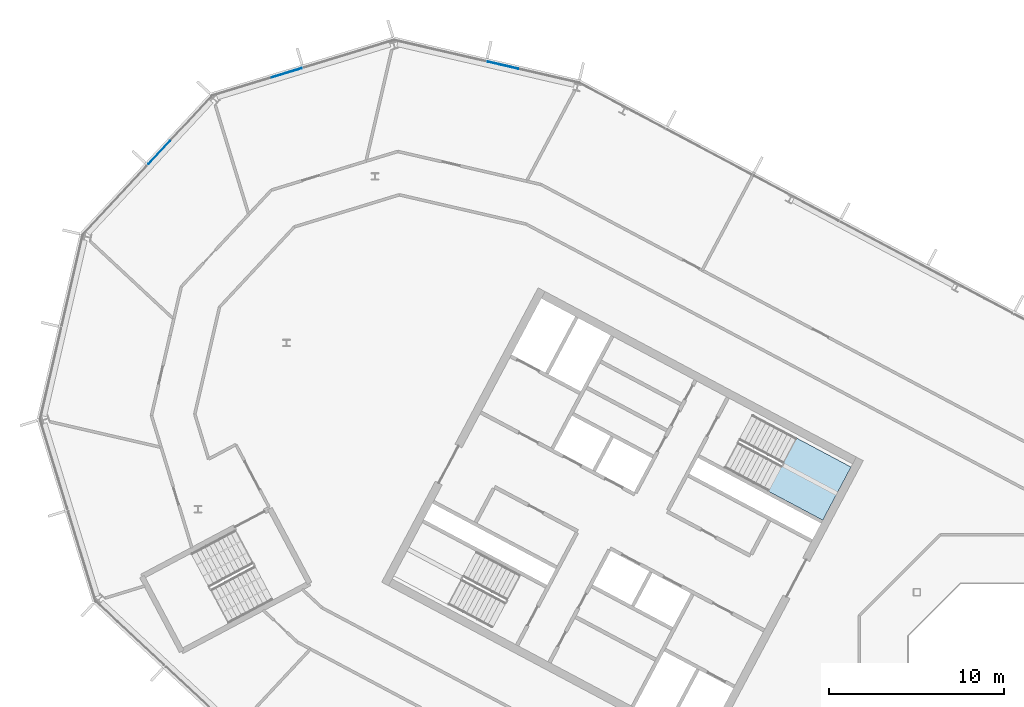
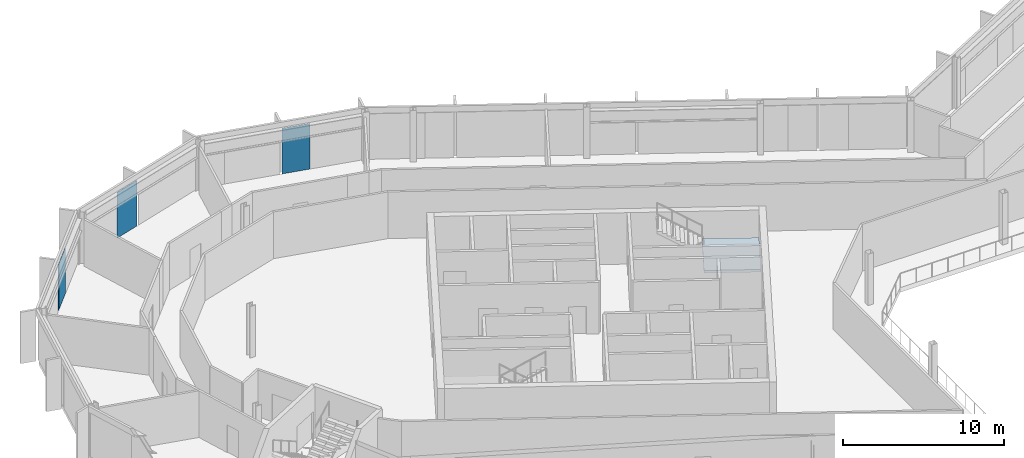
# One storey, part 11 of 26: 3 plates, 1 slab, 4 elements without a shape of their own.
"""IFC4 building model written with IfcOpenShell, lengths in metres."""

from ifc_helpers import new_model, si_unit, direction, frame, origin, origin_2d, place, context, subcontext, project, spatial, polyline, rectangle, outline, extrude, material, layer, layer_set, type_object, element, aggregate, save


model = new_model("IFC4")

# Units and contexts
model_context = context("Model", 3, precision=1e-05, world=origin(), true_north=direction((0.0, 1.0)))
body_context = subcontext(model_context, "Body", "Model", "MODEL_VIEW")
ifc_project = project(units=[si_unit("LENGTHUNIT", "METRE"), si_unit("AREAUNIT", "SQUARE_METRE"), si_unit("VOLUMEUNIT", "CUBIC_METRE"), si_unit("PLANEANGLEUNIT", "RADIAN"), si_unit("MASSUNIT", "GRAM", prefix="KILO")], contexts=[model_context])

# Site, building, storey
site_placement = place(None, origin())
site = spatial("IfcSite", under=ifc_project, at=site_placement, CompositionType="ELEMENT")
building_placement = place(site_placement, origin())
building = spatial("IfcBuilding", under=site, at=building_placement, Name="Cormorant Relay Tower", CompositionType="ELEMENT")
storey_placement = place(building_placement, frame((0.0, 0.0, 293.10009765625)))
storey = spatial("IfcBuildingStorey", under=building, at=storey_placement, Name="L66", CompositionType="ELEMENT", Elevation=293.10009765625)

# Curtain wall, plate
ifc_material_1 = material(Name="Aluminium 6063-T6 anodised bronze", Category="aluminium")
ifc_layer_1 = layer(ifc_material_1, 0.199951171875)
ifc_layer_set_1 = layer_set([ifc_layer_1], Name="CW1 unitised bronze curtain wall with vertical fins")
curtain_wall_type = type_object("IfcCurtainWallType", Name="CW1 unitised bronze curtain wall with vertical fins", PredefinedType="NOTDEFINED", material=ifc_layer_set_1)
curtain_wall_1_placement = place(storey_placement, origin())
curtain_wall_1 = element("IfcCurtainWall", 1, at=curtain_wall_1_placement, inside=storey, type_object=curtain_wall_type, Name="CW1 curtain wall 10", PredefinedType="NOTDEFINED")
ifc_material_2 = material(Name="Tinted laminated glass", Category="glass")
ifc_layer_2 = layer(ifc_material_2, 0.0400390625)
ifc_layer_set_2 = layer_set([ifc_layer_2], Name="CW1 tinted vision panel 1800 module")
plate_type = type_object("IfcPlateType", Name="CW1 tinted vision panel 1800 module", PredefinedType="CURTAIN_PANEL", material=ifc_layer_set_2)
plate_1_placement = place(storey_placement, frame((-34.215087890625, 40.69091796875, 0.0), z_axis=(0.0, 0.0, 1.0), x_axis=(-0.974370064785, 0.224951054344, 0.0)))
plate_1 = element("IfcPlate", 2, at=plate_1_placement, type_object=plate_type, Name="CW1 panel V01", PredefinedType="CURTAIN_PANEL", context=body_context, shape_type="SweptSolid", body=[
    extrude(rectangle(XDim=1.800048828125, YDim=0.0400390625, at=origin_2d()), origin(), (0.0, 0.0, 1.0), 3.449951171875),
])
aggregate(curtain_wall_1, [plate_1])

curtain_wall_2_placement = place(storey_placement, origin())
curtain_wall_2 = element("IfcCurtainWall", 3, at=curtain_wall_2_placement, inside=storey, type_object=curtain_wall_type, Name="CW1 curtain wall 11", PredefinedType="NOTDEFINED")
plate_2_placement = place(storey_placement, frame((-46.6015625, 40.25830078125, 0.0), z_axis=(0.0, 0.0, 1.0), x_axis=(-0.956304755963, -0.292371704723, 0.0)))
plate_2 = element("IfcPlate", 4, at=plate_2_placement, type_object=plate_type, Name="CW1 panel V01", PredefinedType="CURTAIN_PANEL", context=body_context, shape_type="SweptSolid", body=[
    extrude(rectangle(XDim=1.800048828125, YDim=0.0400390625, at=origin_2d()), origin(), (0.0, 0.0, 1.0), 3.449951171875),
])
aggregate(curtain_wall_2, [plate_2])

curtain_wall_3_placement = place(storey_placement, origin())
curtain_wall_3 = element("IfcCurtainWall", 5, at=curtain_wall_3_placement, inside=storey, type_object=curtain_wall_type, Name="CW1 curtain wall 12", PredefinedType="NOTDEFINED")
plate_3_placement = place(storey_placement, frame((-53.91748046875, 35.68701171875, 0.0), z_axis=(0.0, 0.0, 1.0), x_axis=(-0.681998360062, -0.731353701619, 0.0)))
plate_3 = element("IfcPlate", 6, at=plate_3_placement, type_object=plate_type, Name="CW1 panel V01", PredefinedType="CURTAIN_PANEL", context=body_context, shape_type="SweptSolid", body=[
    extrude(rectangle(XDim=1.800048828125, YDim=0.0400390625, at=origin_2d()), origin(), (0.0, 0.0, 1.0), 3.449951171875),
])
aggregate(curtain_wall_3, [plate_3])

# Stair, slab
ifc_material_3 = material(Name="Concrete 40 MPa", Category="concrete")
stair_type = type_object("IfcStairType", Name="Exit stair 1500", PredefinedType="HALF_TURN_STAIR", material=ifc_material_3)
stair_placement = place(storey_placement, origin())
stair = element("IfcStair", 7, at=stair_placement, inside=storey, type_object=stair_type, Name="L66 Stair", PredefinedType="HALF_TURN_STAIR")
ifc_material_4 = material(Name="Concrete 40 MPa", Category="concrete")
ifc_layer_3 = layer(ifc_material_4, 0.199951171875)
ifc_layer_set_3 = layer_set([ifc_layer_3], Name="Exit stair landing 200")
slab_type = type_object("IfcSlabType", Name="Exit stair landing 200", PredefinedType="LANDING", material=ifc_layer_set_3)
slab_placement = place(storey_placement, frame((0.0, 0.0, 1.75)))
slab = element("IfcSlab", 8, at=slab_placement, type_object=slab_type, Name="A1 landing 1", PredefinedType="LANDING", context=body_context, shape_type="SweptSolid", body=[
    extrude(outline(polyline([(-19.029541015625, 16.29052734375), (-15.89501953125, 14.6240234375), (-14.275390625, 17.670166015625), (-17.40966796875, 19.3369140625), (-19.029541015625, 16.29052734375)])), origin(), (0.0, 0.0, 1.0), 0.199951171875),
])
aggregate(stair, [slab])

save(model, "model.ifc")
